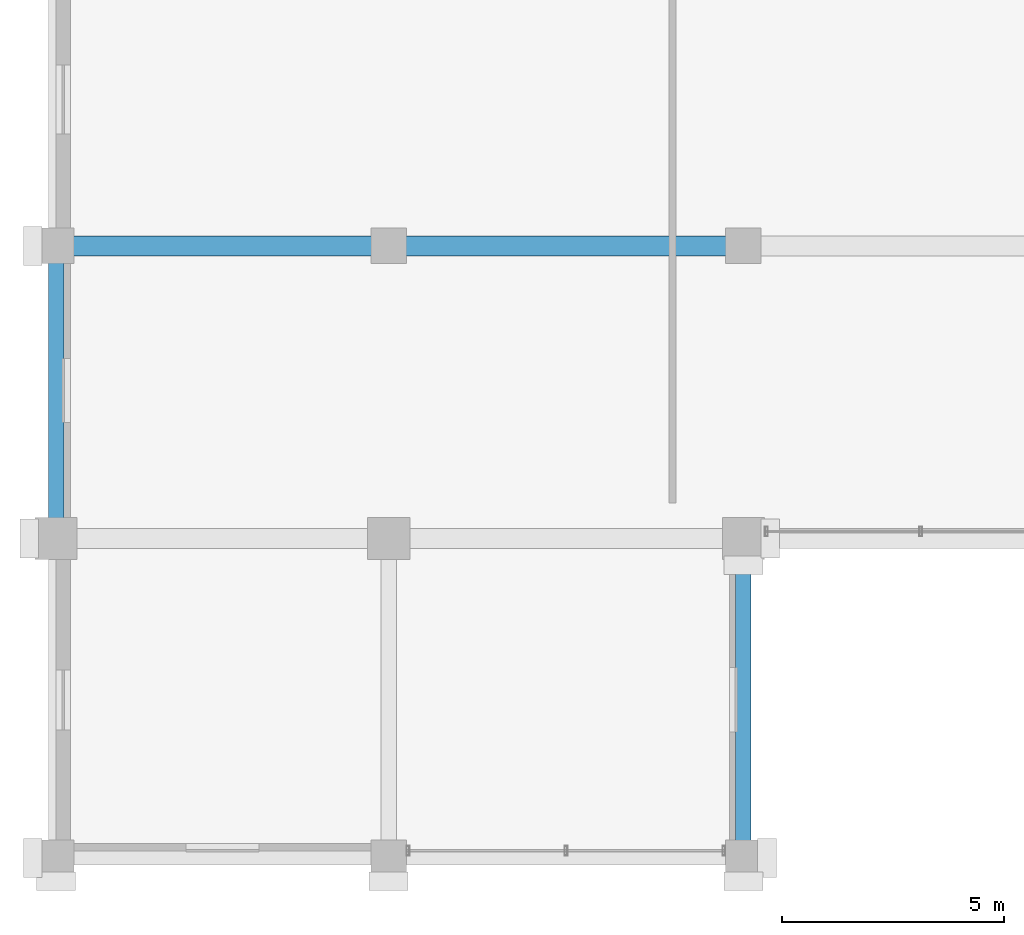
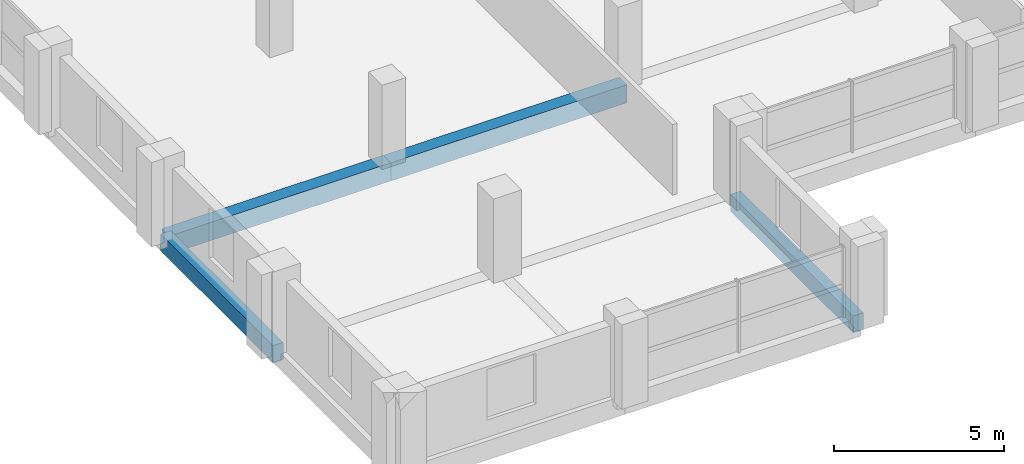
# One storey, part 3 of 23: 4 beams.
"""IFC4 building model written with IfcOpenShell, lengths in metres."""

from ifc_helpers import new_model, si_unit, direction, frame, origin, origin_2d, place, context, subcontext, project, spatial, rectangle, extrude, material, material_profile, profile_set, type_object, element, save


model = new_model("IFC4")

# Units and contexts
model_context = context("Model", 3, precision=1e-05, world=origin(), true_north=direction((0.0, 1.0)))
body_context = subcontext(model_context, "Body", "Model", "MODEL_VIEW")
ifc_project = project(units=[si_unit("LENGTHUNIT", "METRE"), si_unit("AREAUNIT", "SQUARE_METRE"), si_unit("VOLUMEUNIT", "CUBIC_METRE"), si_unit("PLANEANGLEUNIT", "RADIAN"), si_unit("MASSUNIT", "GRAM", prefix="KILO")], contexts=[model_context])

# Site, building, storey
site_placement = place(None, origin())
site = spatial("IfcSite", under=ifc_project, at=site_placement, CompositionType="ELEMENT")
building_placement = place(site_placement, origin())
building = spatial("IfcBuilding", under=site, at=building_placement, Name="Akrevak Sports Hall", CompositionType="ELEMENT")
storey_placement = place(building_placement, frame((0.0, 0.0, 47.050048828125)))
storey = spatial("IfcBuildingStorey", under=building, at=storey_placement, Name="L11", CompositionType="ELEMENT", Elevation=47.050048828125)

# Beams
ifc_material = material(Name="Concrete C40/50", Category="concrete")
ifc_material_profile_1 = material_profile(ifc_material, rectangle(XDim=0.35009765625, YDim=0.60009765625, at=origin_2d()), Name="BM 350x600", Category="concrete")
ifc_profile_set_1 = profile_set([ifc_material_profile_1], Name="Concrete C40/50")
beam_type_1 = type_object("IfcBeamType", Name="STR-BM-RC350x600", PredefinedType="BEAM", material=ifc_profile_set_1)
beam_1_placement = place(storey_placement, frame((52.5, 28.800048828125, -0.300048828125), z_axis=(0.0, 1.0, 0.0), x_axis=(-1.0, 0.0, 0.0)))
element("IfcBeam", 1, at=beam_1_placement, inside=storey, type_object=beam_type_1, Name="Girder 8/E-F (L11)", PredefinedType="BEAM", context=body_context, shape_type="SweptSolid", body=[
    extrude(rectangle(XDim=0.35009765625, YDim=0.60009765625, at=origin_2d()), origin(), (0.0, 0.0, 1.0), 6.599853515625),
])
beam_2_placement = place(storey_placement, frame((68.0, 21.60009765625, -0.300048828125), z_axis=(0.0, 1.0, 0.0), x_axis=(-1.0, 0.0, 0.0)))
element("IfcBeam", 2, at=beam_2_placement, inside=storey, type_object=beam_type_1, Name="Girder 10/D-E (L11)", PredefinedType="BEAM", context=body_context, shape_type="SweptSolid", body=[
    extrude(rectangle(XDim=0.35009765625, YDim=0.60009765625, at=origin_2d()), origin(), (0.0, 0.0, 1.0), 7.199951171875),
])
ifc_material_profile_2 = material_profile(ifc_material, rectangle(XDim=0.449951171875, YDim=0.64990234375, at=origin_2d()), Name="BM 450x650", Category="concrete")
ifc_profile_set_2 = profile_set([ifc_material_profile_2], Name="Concrete C40/50")
beam_type_2 = type_object("IfcBeamType", Name="STR-BM-RC450x650", PredefinedType="BEAM", material=ifc_profile_set_2)
beam_3_placement = place(storey_placement, frame((52.5, 35.39990234375, -0.324951171875), z_axis=(1.0, 0.0, 0.0), x_axis=(0.0, 1.0, 0.0)))
element("IfcBeam", 3, at=beam_3_placement, inside=storey, type_object=beam_type_2, Name="Girder F/8-9 (L11)", PredefinedType="BEAM", context=body_context, shape_type="SweptSolid", body=[
    extrude(rectangle(XDim=0.449951171875, YDim=0.64990234375, at=origin_2d()), origin(), (0.0, 0.0, 1.0), 7.5),
])
beam_4_placement = place(storey_placement, frame((60.0, 35.39990234375, -0.324951171875), z_axis=(1.0, 0.0, 0.0), x_axis=(0.0, 1.0, 0.0)))
element("IfcBeam", 4, at=beam_4_placement, inside=storey, type_object=beam_type_2, Name="Girder F/9-10 (L11)", PredefinedType="BEAM", context=body_context, shape_type="SweptSolid", body=[
    extrude(rectangle(XDim=0.449951171875, YDim=0.64990234375, at=origin_2d()), origin(), (0.0, 0.0, 1.0), 8.0),
])

save(model, "model.ifc")
